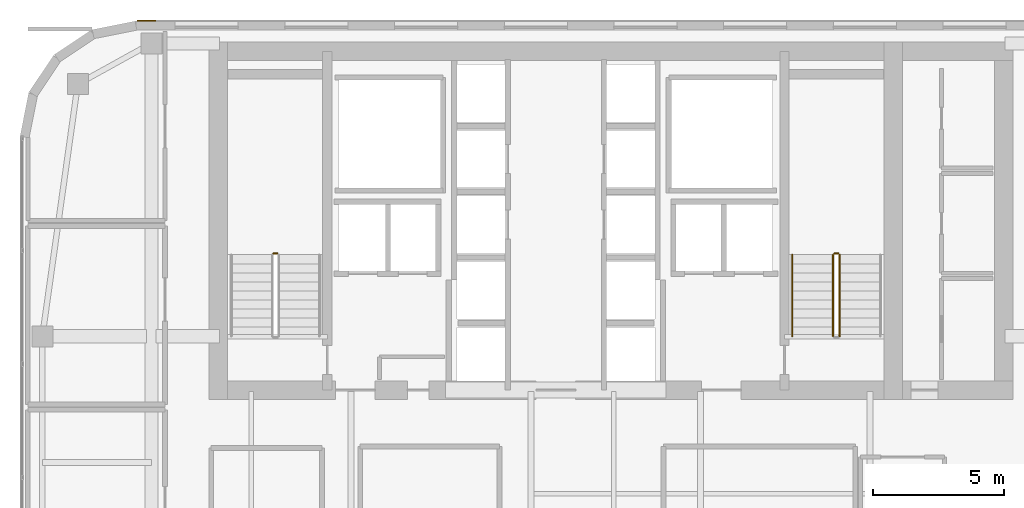
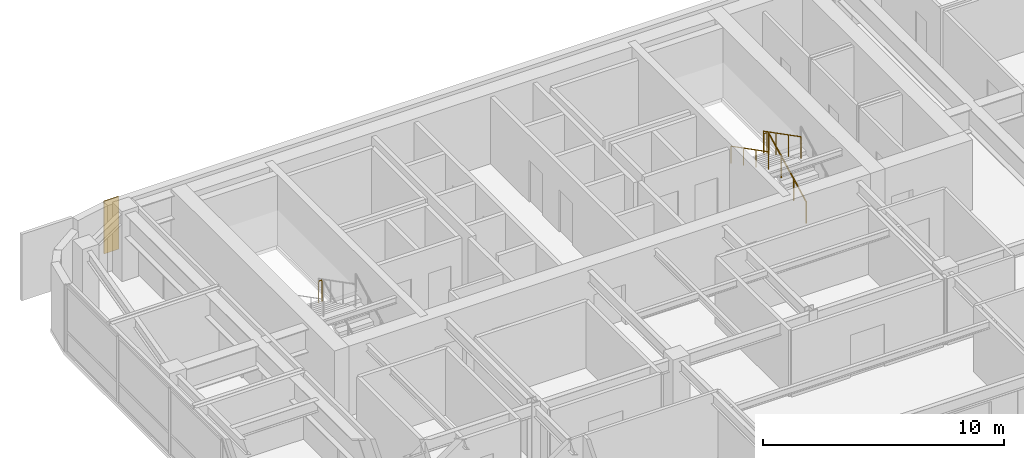
# One storey, part 27 of 28: 5 railings, 1 covering.
"""IFC4 building model written with IfcOpenShell, lengths in metres."""

from ifc_helpers import new_model, si_unit, direction, frame, origin, origin_2d, place, context, subcontext, project, spatial, polyline, circle, outline, extrude, material, layer, layer_set, type_object, element, save


model = new_model("IFC4")

# Units and contexts
model_context = context("Model", 3, precision=1e-05, world=origin(), true_north=direction((0.0, 1.0)))
body_context = subcontext(model_context, "Body", "Model", "MODEL_VIEW")
ifc_project = project(units=[si_unit("LENGTHUNIT", "METRE"), si_unit("AREAUNIT", "SQUARE_METRE"), si_unit("VOLUMEUNIT", "CUBIC_METRE"), si_unit("PLANEANGLEUNIT", "RADIAN"), si_unit("MASSUNIT", "GRAM", prefix="KILO")], contexts=[model_context])

# Site, building, storey
site_placement = place(None, origin())
site = spatial("IfcSite", under=ifc_project, at=site_placement, CompositionType="ELEMENT")
building_placement = place(site_placement, origin())
building = spatial("IfcBuilding", under=site, at=building_placement, Name="Tolvann Quenvar Hotel", CompositionType="ELEMENT")
storey_placement = place(building_placement, frame((0.0, 0.0, 198.199951171875)))
storey = spatial("IfcBuildingStorey", under=building, at=storey_placement, Name="L52", CompositionType="ELEMENT", Elevation=198.199951171875)

# Covering
ifc_material_1 = material(Name="Kiln-fired red architectural face brick cladding", Category="masonry")
ifc_layer = layer(ifc_material_1, 0.0400390625)
ifc_layer_set = layer_set([ifc_layer], Name="Kiln-fired red architectural face brick cladding")
covering_type = type_object("IfcCoveringType", Name="COV_CLAD_BRICK_40", PredefinedType="CLADDING", material=ifc_layer_set)
covering_placement = place(storey_placement, frame((0.0, 0.0, 0.699951171875)))
element("IfcCovering", 1, at=covering_placement, inside=storey, type_object=covering_type, Name="Brick Pier Cladding (L52-E18-P2)", PredefinedType="CLADDING", context=body_context, shape_type="SweptSolid", body=[
    extrude(outline(polyline([(7.76708984375, 46.0), (7.067138671875, 46.0), (7.067138671875, 46.0400390625), (7.76708984375, 46.0400390625), (7.76708984375, 46.0)])), origin(), (0.0, 0.0, 1.0), 2.670166015625),
])

# Railings
ifc_material_2 = material(Name="Brushed 316 stainless steel balustrade and handrail", Category="steel")
railing_type_1 = type_object("IfcRailingType", Name="GUARDRAIL", PredefinedType="GUARDRAIL", material=ifc_material_2)
railing_1_placement = place(storey_placement, frame((12.39990234375, 37.155029296875, 1.775146484375)))
element("IfcRailing", 2, at=railing_1_placement, inside=storey, type_object=railing_type_1, Name="L52 ST-C1 stair guard 2", PredefinedType="GUARDRAIL", context=body_context, shape_type="SweptSolid", body=[
    extrude(circle(Radius=0.02392578125, at=origin_2d()), frame((0.0, 0.0, 1.09619140625), z_axis=(-1.0, 0.0, 0.0), x_axis=(0.0, -1.0, 0.0)), (0.0, 0.0, 1.0), 0.14990234375),
    extrude(circle(Radius=0.02099609375, at=origin_2d()), origin(), (0.0, 0.0, 1.0), 1.072021484375),
    extrude(circle(Radius=0.02099609375, at=origin_2d()), frame((-0.14990234375, 0.0, 0.0)), (0.0, 0.0, 1.0), 1.072021484375),
])
railing_2_placement = place(storey_placement, frame((33.800048828125, 34.0, 0.177490234375)))
element("IfcRailing", 3, at=railing_2_placement, inside=storey, type_object=railing_type_1, Name="L52 ST-C2 stair guard 1", PredefinedType="GUARDRAIL", context=body_context, shape_type="SweptSolid", body=[
    extrude(circle(Radius=0.02392578125, at=origin_2d()), frame((0.0, 0.0, 1.09619140625), z_axis=(0.0, 0.88919353882, 0.457531256332), x_axis=(-1.0, 0.0, 0.0)), (0.0, 0.0, 1.0), 3.491943359375),
    extrude(circle(Radius=0.02099609375, at=origin_2d()), origin(), (0.0, 0.0, 1.0), 1.072021484375),
    extrude(circle(Radius=0.02099609375, at=origin_2d()), frame((0.0, 1.034912109375, 0.532470703125)), (0.0, 0.0, 1.0), 1.072021484375),
    extrude(circle(Radius=0.02099609375, at=origin_2d()), frame((0.0, 2.070068359375, 1.065185546875)), (0.0, 0.0, 1.0), 1.072021484375),
    extrude(circle(Radius=0.02099609375, at=origin_2d()), frame((0.0, 3.10498046875, 1.59765625)), (0.0, 0.0, 1.0), 1.072021484375),
])
railing_3_placement = place(storey_placement, frame((33.75, 37.155029296875, 1.775146484375)))
element("IfcRailing", 4, at=railing_3_placement, inside=storey, type_object=railing_type_1, Name="L52 ST-C2 stair guard 2", PredefinedType="GUARDRAIL", context=body_context, shape_type="SweptSolid", body=[
    extrude(circle(Radius=0.02392578125, at=origin_2d()), frame((0.0, 0.0, 1.09619140625), z_axis=(-1.0, 0.0, 0.0), x_axis=(0.0, -1.0, 0.0)), (0.0, 0.0, 1.0), 0.14990234375),
    extrude(circle(Radius=0.02099609375, at=origin_2d()), origin(), (0.0, 0.0, 1.0), 1.072021484375),
    extrude(circle(Radius=0.02099609375, at=origin_2d()), frame((-0.14990234375, 0.0, 0.0)), (0.0, 0.0, 1.0), 1.072021484375),
])
railing_4_placement = place(storey_placement, frame((33.550048828125, 37.10498046875, 1.95263671875)))
element("IfcRailing", 5, at=railing_4_placement, inside=storey, type_object=railing_type_1, Name="L52 ST-C2 stair guard 3", PredefinedType="GUARDRAIL", context=body_context, shape_type="SweptSolid", body=[
    extrude(circle(Radius=0.02392578125, at=origin_2d()), frame((0.0, 0.0, 1.09619140625), z_axis=(0.0, -0.889221982265, 0.45747597342), x_axis=(1.0, 0.0, 0.0)), (0.0, 0.0, 1.0), 3.49169921875),
    extrude(circle(Radius=0.02099609375, at=origin_2d()), origin(), (0.0, 0.0, 1.0), 1.072021484375),
    extrude(circle(Radius=0.02099609375, at=origin_2d()), frame((0.0, -1.034912109375, 0.532470703125)), (0.0, 0.0, 1.0), 1.072021484375),
    extrude(circle(Radius=0.02099609375, at=origin_2d()), frame((0.0, -2.070068359375, 1.06494140625)), (0.0, 0.0, 1.0), 1.072021484375),
    extrude(circle(Radius=0.02099609375, at=origin_2d()), frame((0.0, -3.10498046875, 1.597412109375)), (0.0, 0.0, 1.0), 1.072021484375),
])
railing_type_2 = type_object("IfcRailingType", Name="HANDRAIL", PredefinedType="HANDRAIL", material=ifc_material_2)
railing_5_placement = place(storey_placement, frame((32.0, 37.10498046875, 1.95263671875)))
element("IfcRailing", 6, at=railing_5_placement, inside=storey, type_object=railing_type_2, Name="L52 ST-C2 stair handrail 2", PredefinedType="HANDRAIL", context=body_context, shape_type="SweptSolid", body=[
    extrude(circle(Radius=0.02392578125, at=origin_2d()), frame((0.0, 0.0, 0.8759765625), z_axis=(0.0, -0.889221982265, 0.45747597342), x_axis=(1.0, 0.0, 0.0)), (0.0, 0.0, 1.0), 3.49169921875),
    extrude(circle(Radius=0.02099609375, at=origin_2d()), origin(), (0.0, 0.0, 1.0), 0.851806640625),
    extrude(circle(Radius=0.02099609375, at=origin_2d()), frame((0.0, -1.034912109375, 0.532470703125)), (0.0, 0.0, 1.0), 0.851806640625),
    extrude(circle(Radius=0.02099609375, at=origin_2d()), frame((0.0, -2.070068359375, 1.06494140625)), (0.0, 0.0, 1.0), 0.851806640625),
    extrude(circle(Radius=0.02099609375, at=origin_2d()), frame((0.0, -3.10498046875, 1.597412109375)), (0.0, 0.0, 1.0), 0.851806640625),
])

save(model, "model.ifc")
